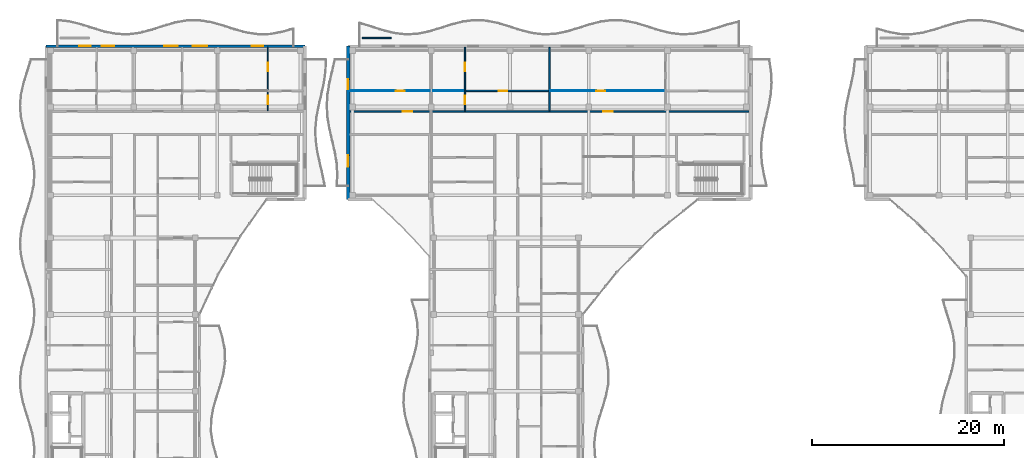
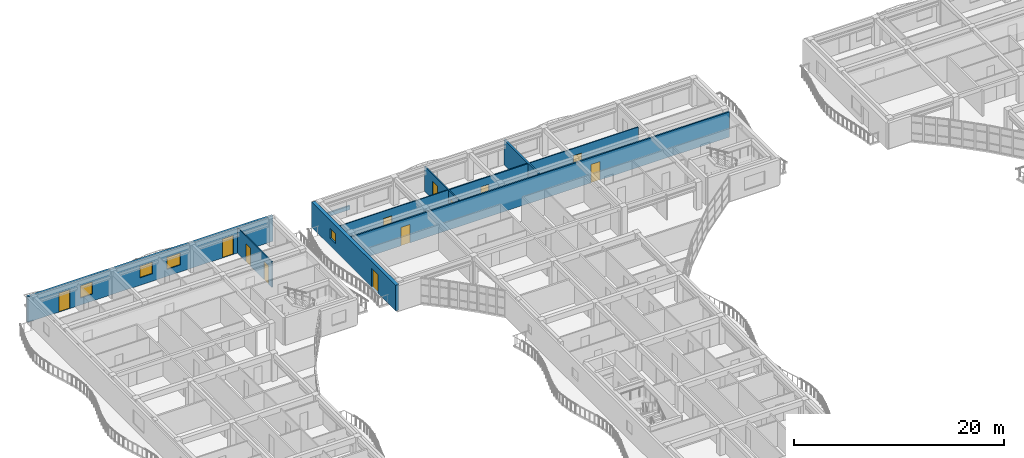
# One storey, part 44 of 79: 12 doors, 10 walls, 4 windows, 16 openings.
"""IFC4 building model written with IfcOpenShell, lengths in metres."""

from ifc_helpers import new_model, si_unit, direction, frame, frame_2d, origin, place, context, subcontext, project, spatial, rectangle, extrude, material, layer, layer_set, type_object, element, fill, save


model = new_model("IFC4")

# Units and contexts
model_context = context("Model", 3, precision=1e-05, world=origin(), true_north=direction((0.0, 1.0)))
body_context = subcontext(model_context, "Body", "Model", "MODEL_VIEW")
ifc_project = project(units=[si_unit("LENGTHUNIT", "METRE"), si_unit("AREAUNIT", "SQUARE_METRE"), si_unit("VOLUMEUNIT", "CUBIC_METRE"), si_unit("PLANEANGLEUNIT", "RADIAN"), si_unit("MASSUNIT", "GRAM", prefix="KILO")], contexts=[model_context])

# Site, building, storey
site_placement = place(None, origin())
site = spatial("IfcSite", under=ifc_project, at=site_placement, CompositionType="ELEMENT")
building_placement = place(site_placement, origin())
building = spatial("IfcBuilding", under=site, at=building_placement, Name="Keldmere Railside Commons", CompositionType="ELEMENT")
storey_placement = place(building_placement, frame((0.0, 0.0, 10.56005859375)))
storey = spatial("IfcBuildingStorey", under=building, at=storey_placement, Name="L03", CompositionType="ELEMENT", Elevation=10.56005859375)

# Wall
ifc_material_1 = material(Name="Acoustic Gypsum Board Partition", Category="gypsum")
ifc_layer_1 = layer(ifc_material_1, 0.179931640625, Name="Acoustic Demising Partition 180")
ifc_layer_set_1 = layer_set([ifc_layer_1], Name="Acoustic Gypsum Board Partition")
wall_type_1 = type_object("IfcWallType", Name="Acoustic Demising Partition 180", PredefinedType="PARTITIONING", material=ifc_layer_set_1)
wall_1_placement = place(storey_placement, frame((60.5, 109.280029296875, 0.0), z_axis=(0.0, 0.0, 1.0), x_axis=(0.0, 1.0, 0.0)))
element("IfcWall", 1, at=wall_1_placement, inside=storey, type_object=wall_type_1, Name="IW-1 IW-L03-0621", PredefinedType="PARTITIONING", context=body_context, shape_type="SweptSolid", body=[
    extrude(rectangle(XDim=6.590087890625, YDim=0.179931640625, at=frame_2d((3.294921875, 0.0))), origin(), (0.0, 0.0, 1.0), 2.93505859375),
])

# Wall, openings, doors
ifc_layer_2 = layer(ifc_material_1, 0.1201171875, Name="Apartment Interior Partition 120")
ifc_layer_set_2 = layer_set([ifc_layer_2], Name="Acoustic Gypsum Board Partition")
wall_type_2 = type_object("IfcWallType", Name="Apartment Interior Partition 120", PredefinedType="PARTITIONING", material=ifc_layer_set_2)
wall_2_placement = place(storey_placement, frame((31.1298828125, 109.280029296875, 0.0), z_axis=(0.0, 0.0, 1.0), x_axis=(0.0, 1.0, 0.0)))
wall_2 = element("IfcWall", 2, at=wall_2_placement, inside=storey, type_object=wall_type_2, Name="IW-4 IW-L03-0316", PredefinedType="PARTITIONING", context=body_context, shape_type="SweptSolid", body=[
    extrude(rectangle(XDim=6.599853515625, YDim=0.1201171875, at=frame_2d((3.2998046875, 0.0))), origin(), (0.0, 0.0, 1.0), 2.93505859375),
])
opening_1_placement = place(wall_2_placement, frame((0.656005859375, 0.0, 0.0)))
opening_1 = element("IfcOpeningElement", 3, at=opening_1_placement, cuts=wall_2, Name="Opening ID-04", PredefinedType="OPENING", context=body_context, shape_type="SweptSolid", body=[
    extrude(rectangle(XDim=0.860107421875, YDim=2.10009765625, at=frame_2d((0.43017578125, 1.050048828125))), frame((0.0, 0.070068359375, 0.0), z_axis=(0.0, -1.0, 0.0), x_axis=(1.0, 0.0, 0.0)), (0.0, 0.0, 1.0), 0.14013671875),
])
opening_2_placement = place(wall_2_placement, frame((4.097412109375, 0.0, 0.0)))
opening_2 = element("IfcOpeningElement", 4, at=opening_2_placement, cuts=wall_2, Name="Opening ID-01", PredefinedType="OPENING", context=body_context, shape_type="SweptSolid", body=[
    extrude(rectangle(XDim=0.89990234375, YDim=2.10009765625, at=frame_2d((0.449951171875, 1.050048828125))), frame((0.0, 0.070068359375, 0.0), z_axis=(0.0, -1.0, 0.0), x_axis=(1.0, 0.0, 0.0)), (0.0, 0.0, 1.0), 0.14013671875),
])
ifc_material_2 = material(Name="Engineered Oak Timber", Category="wood")
door_type_1 = type_object("IfcDoorType", Name="Apartment Bathroom Door 860x2100", OperationType="NOTDEFINED", PredefinedType="DOOR", material=ifc_material_2)
door_1_placement = place(opening_1_placement, origin())
door_1 = element("IfcDoor", 5, at=door_1_placement, inside=storey, type_object=door_type_1, Name="ID-04 IDR-L03-0225", OperationType="SINGLE_SWING_LEFT", OverallHeight=2.10009765625, OverallWidth=0.860107421875, PredefinedType="DOOR", context=body_context, shape_type="SweptSolid", body=[
    extrude(rectangle(XDim=0.860107421875, YDim=2.10009765625, at=frame_2d((0.43017578125, 1.050048828125))), frame((0.0, 0.02490234375, 0.0), z_axis=(0.0, -1.0, 0.0), x_axis=(1.0, 0.0, 0.0)), (0.0, 0.0, 1.0), 0.050048828125),
])
fill(opening_1, door_1)
door_type_2 = type_object("IfcDoorType", Name="Primary Bedroom Door 900x2100", OperationType="NOTDEFINED", PredefinedType="DOOR", material=ifc_material_2)
door_2_placement = place(opening_2_placement, origin())
door_2 = element("IfcDoor", 6, at=door_2_placement, inside=storey, type_object=door_type_2, Name="ID-01 IDR-L03-0226", OperationType="SINGLE_SWING_RIGHT", OverallHeight=2.10009765625, OverallWidth=0.89990234375, PredefinedType="DOOR", context=body_context, shape_type="SweptSolid", body=[
    extrude(rectangle(XDim=0.89990234375, YDim=2.10009765625, at=frame_2d((0.449951171875, 1.050048828125))), frame((0.0, 0.02490234375, 0.0), z_axis=(0.0, -1.0, 0.0), x_axis=(1.0, 0.0, 0.0)), (0.0, 0.0, 1.0), 0.050048828125),
])
fill(opening_2, door_2)

wall_3_placement = place(storey_placement, frame((51.699951171875, 109.280029296875, 0.0), z_axis=(0.0, 0.0, 1.0), x_axis=(0.0, 1.0, 0.0)))
wall_3 = element("IfcWall", 7, at=wall_3_placement, inside=storey, type_object=wall_type_2, Name="IW-4 IW-L03-0622", PredefinedType="PARTITIONING", context=body_context, shape_type="SweptSolid", body=[
    extrude(rectangle(XDim=6.590087890625, YDim=0.1201171875, at=frame_2d((3.294921875, 0.0))), origin(), (0.0, 0.0, 1.0), 2.93505859375),
])
opening_3_placement = place(wall_3_placement, frame((0.656005859375, 0.0, 0.0)))
opening_3 = element("IfcOpeningElement", 8, at=opening_3_placement, cuts=wall_3, Name="Opening ID-04", PredefinedType="OPENING", context=body_context, shape_type="SweptSolid", body=[
    extrude(rectangle(XDim=0.860107421875, YDim=2.10009765625, at=frame_2d((0.43017578125, 1.050048828125))), frame((0.0, 0.070068359375, 0.0), z_axis=(0.0, -1.0, 0.0), x_axis=(1.0, 0.0, 0.0)), (0.0, 0.0, 1.0), 0.14013671875),
])
opening_4_placement = place(wall_3_placement, frame((4.093017578125, 0.0, 0.0)))
opening_4 = element("IfcOpeningElement", 9, at=opening_4_placement, cuts=wall_3, Name="Opening ID-01", PredefinedType="OPENING", context=body_context, shape_type="SweptSolid", body=[
    extrude(rectangle(XDim=0.89990234375, YDim=2.10009765625, at=frame_2d((0.449951171875, 1.050048828125))), frame((0.0, 0.070068359375, 0.0), z_axis=(0.0, -1.0, 0.0), x_axis=(1.0, 0.0, 0.0)), (0.0, 0.0, 1.0), 0.14013671875),
])
door_3_placement = place(opening_3_placement, origin())
door_3 = element("IfcDoor", 10, at=door_3_placement, inside=storey, type_object=door_type_1, Name="ID-04 IDR-L03-0512", OperationType="SINGLE_SWING_RIGHT", OverallHeight=2.10009765625, OverallWidth=0.860107421875, PredefinedType="DOOR", context=body_context, shape_type="SweptSolid", body=[
    extrude(rectangle(XDim=0.860107421875, YDim=2.10009765625, at=frame_2d((0.43017578125, 1.050048828125))), frame((0.0, 0.02490234375, 0.0), z_axis=(0.0, -1.0, 0.0), x_axis=(1.0, 0.0, 0.0)), (0.0, 0.0, 1.0), 0.050048828125),
])
fill(opening_3, door_3)
door_4_placement = place(opening_4_placement, origin())
door_4 = element("IfcDoor", 11, at=door_4_placement, inside=storey, type_object=door_type_2, Name="ID-01 IDR-L03-0513", OperationType="SINGLE_SWING_LEFT", OverallHeight=2.10009765625, OverallWidth=0.89990234375, PredefinedType="DOOR", context=body_context, shape_type="SweptSolid", body=[
    extrude(rectangle(XDim=0.89990234375, YDim=2.10009765625, at=frame_2d((0.449951171875, 1.050048828125))), frame((0.0, 0.02490234375, 0.0), z_axis=(0.0, -1.0, 0.0), x_axis=(1.0, 0.0, 0.0)), (0.0, 0.0, 1.0), 0.050048828125),
])
fill(opening_4, door_4)

# Wall
ifc_material_3 = material(Name="White Precast Concrete H-35 (C35/45)", Category="concrete")
ifc_layer_3 = layer(ifc_material_3, 0.169921875, Name="Balcony Planter Kerb Wall 170")
ifc_layer_set_3 = layer_set([ifc_layer_3], Name="White Precast Concrete H-35 (C35/45)")
wall_type_3 = type_object("IfcWallType", Name="Balcony Planter Kerb Wall 170", PredefinedType="PARAPET", material=ifc_layer_set_3)
wall_4_placement = place(storey_placement, frame((41.0, 116.85009765625, 0.0), z_axis=(0.0, 0.0, 1.0), x_axis=(1.0, 0.0, 0.0)))
element("IfcWall", 12, at=wall_4_placement, inside=storey, type_object=wall_type_3, Name="PW-2 PKBC-L03-0352", PredefinedType="PARAPET", context=body_context, shape_type="SweptSolid", body=[
    extrude(rectangle(XDim=3.0, YDim=0.169921875, at=frame_2d((1.5, 0.0))), origin(), (0.0, 0.0, 1.0), 0.449951171875),
])

# Wall, opening, door
ifc_layer_4 = layer(ifc_material_1, 0.10009765625, Name="Closet Light Partition 100")
ifc_layer_set_4 = layer_set([ifc_layer_4], Name="Acoustic Gypsum Board Partition")
wall_type_4 = type_object("IfcWallType", Name="Closet Light Partition 100", PredefinedType="PARTITIONING", material=ifc_layer_set_4)
wall_5_placement = place(storey_placement, frame((39.679931640625, 111.330078125, 0.0), z_axis=(0.0, 0.0, 1.0), x_axis=(1.0, 0.0, 0.0)))
wall_5 = element("IfcWall", 13, at=wall_5_placement, inside=storey, type_object=wall_type_4, Name="IW-6 IW-L03-0624", PredefinedType="PARTITIONING", context=body_context, shape_type="SweptSolid", body=[
    extrude(rectangle(XDim=11.9599609375, YDim=0.10009765625, at=frame_2d((5.97998046875, 0.0))), origin(), (0.0, 0.0, 1.0), 2.93505859375),
])
opening_5_placement = place(wall_5_placement, frame((4.80810546875, 0.0, 0.0)))
opening_5 = element("IfcOpeningElement", 14, at=opening_5_placement, cuts=wall_5, Name="Opening ID-03", PredefinedType="OPENING", context=body_context, shape_type="SweptSolid", body=[
    extrude(rectangle(XDim=0.919921875, YDim=2.10009765625, at=frame_2d((0.4599609375, 1.050048828125))), frame((0.0, 0.06005859375, 0.0), z_axis=(0.0, -1.0, 0.0), x_axis=(1.0, 0.0, 0.0)), (0.0, 0.0, 1.0), 0.1201171875),
])
door_type_3 = type_object("IfcDoorType", Name="Kitchen Pocket-Frame Swing Door 920x2100", OperationType="NOTDEFINED", PredefinedType="DOOR", material=ifc_material_2)
door_5_placement = place(opening_5_placement, origin())
door_5 = element("IfcDoor", 15, at=door_5_placement, inside=storey, type_object=door_type_3, Name="ID-03 IDR-L03-0511", OperationType="SINGLE_SWING_LEFT", OverallHeight=2.10009765625, OverallWidth=0.919921875, PredefinedType="DOOR", context=body_context, shape_type="SweptSolid", body=[
    extrude(rectangle(XDim=0.919921875, YDim=2.10009765625, at=frame_2d((0.4599609375, 1.050048828125))), frame((0.0, 0.02490234375, 0.0), z_axis=(0.0, -1.0, 0.0), x_axis=(1.0, 0.0, 0.0)), (0.0, 0.0, 1.0), 0.050048828125),
])
fill(opening_5, door_5)

wall_6_placement = place(storey_placement, frame((60.590087890625, 111.330078125, 0.0), z_axis=(0.0, 0.0, 1.0), x_axis=(1.0, 0.0, 0.0)))
wall_6 = element("IfcWall", 16, at=wall_6_placement, inside=storey, type_object=wall_type_4, Name="IW-6 IW-L03-0627", PredefinedType="PARTITIONING", context=body_context, shape_type="SweptSolid", body=[
    extrude(rectangle(XDim=11.9599609375, YDim=0.10009765625, at=frame_2d((5.97998046875, 0.0))), origin(), (0.0, 0.0, 1.0), 2.93505859375),
])
opening_6_placement = place(wall_6_placement, frame((4.80810546875, 0.0, 0.0)))
opening_6 = element("IfcOpeningElement", 17, at=opening_6_placement, cuts=wall_6, Name="Opening ID-03", PredefinedType="OPENING", context=body_context, shape_type="SweptSolid", body=[
    extrude(rectangle(XDim=0.919921875, YDim=2.10009765625, at=frame_2d((0.4599609375, 1.050048828125))), frame((0.0, 0.06005859375, 0.0), z_axis=(0.0, -1.0, 0.0), x_axis=(1.0, 0.0, 0.0)), (0.0, 0.0, 1.0), 0.1201171875),
])
door_6_placement = place(opening_6_placement, origin())
door_6 = element("IfcDoor", 18, at=door_6_placement, inside=storey, type_object=door_type_3, Name="ID-03 IDR-L03-0516", OperationType="SINGLE_SWING_RIGHT", OverallHeight=2.10009765625, OverallWidth=0.919921875, PredefinedType="DOOR", context=body_context, shape_type="SweptSolid", body=[
    extrude(rectangle(XDim=0.919921875, YDim=2.10009765625, at=frame_2d((0.4599609375, 1.050048828125))), frame((0.0, 0.02490234375, 0.0), z_axis=(0.0, -1.0, 0.0), x_axis=(1.0, 0.0, 0.0)), (0.0, 0.0, 1.0), 0.050048828125),
])
fill(opening_6, door_6)

# Wall, openings, doors
ifc_layer_5 = layer(ifc_material_1, 0.159912109375, Name="Corridor Fire Partition 160")
ifc_layer_set_5 = layer_set([ifc_layer_5], Name="Acoustic Gypsum Board Partition")
wall_type_5 = type_object("IfcWallType", Name="Corridor Fire Partition 160", PredefinedType="PARTITIONING", material=ifc_layer_set_5)
wall_7_placement = place(storey_placement, frame((39.679931640625, 109.199951171875, 0.0), z_axis=(0.0, 0.0, 1.0), x_axis=(1.0, 0.0, 0.0)))
wall_7 = element("IfcWall", 19, at=wall_7_placement, inside=storey, type_object=wall_type_5, Name="IW-2 IW-L03-0599", PredefinedType="PARTITIONING", context=body_context, shape_type="SweptSolid", body=[
    extrude(rectangle(XDim=41.64013671875, YDim=0.159912109375, at=frame_2d((20.820068359375, 0.0))), origin(), (0.0, 0.0, 1.0), 2.93505859375),
])
opening_7_placement = place(wall_7_placement, frame((5.52001953125, 0.0, 0.0)))
opening_7 = element("IfcOpeningElement", 20, at=opening_7_placement, cuts=wall_7, Name="Opening FD-7", PredefinedType="OPENING", context=body_context, shape_type="SweptSolid", body=[
    extrude(rectangle(XDim=0.97998046875, YDim=2.14990234375, at=frame_2d((0.489990234375, 1.074951171875))), frame((0.0, 0.08984375, 0.0), z_axis=(0.0, -1.0, 0.0), x_axis=(1.0, 0.0, 0.0)), (0.0, 0.0, 1.0), 0.179931640625),
])
opening_8_placement = place(wall_7_placement, frame((26.429931640625, 0.0, 0.0)))
opening_8 = element("IfcOpeningElement", 21, at=opening_8_placement, cuts=wall_7, Name="Opening FD-7", PredefinedType="OPENING", context=body_context, shape_type="SweptSolid", body=[
    extrude(rectangle(XDim=0.97998046875, YDim=2.14990234375, at=frame_2d((0.489990234375, 1.074951171875))), frame((0.0, 0.08984375, 0.0), z_axis=(0.0, -1.0, 0.0), x_axis=(1.0, 0.0, 0.0)), (0.0, 0.0, 1.0), 0.179931640625),
])
door_type_4 = type_object("IfcDoorType", Name="Apartment Entrance Acoustic Fire Door 980x2150", OperationType="NOTDEFINED", PredefinedType="DOOR", material=ifc_material_2)
door_7_placement = place(opening_7_placement, origin())
door_7 = element("IfcDoor", 22, at=door_7_placement, inside=storey, type_object=door_type_4, Name="FD-7 IDR-L03-0510", OperationType="SINGLE_SWING_RIGHT", OverallHeight=2.14990234375, OverallWidth=0.97998046875, PredefinedType="DOOR", context=body_context, shape_type="SweptSolid", body=[
    extrude(rectangle(XDim=0.97998046875, YDim=2.14990234375, at=frame_2d((0.489990234375, 1.074951171875))), frame((0.0, 0.02490234375, 0.0), z_axis=(0.0, -1.0, 0.0), x_axis=(1.0, 0.0, 0.0)), (0.0, 0.0, 1.0), 0.050048828125),
])
fill(opening_7, door_7)
door_8_placement = place(opening_8_placement, origin())
door_8 = element("IfcDoor", 23, at=door_8_placement, inside=storey, type_object=door_type_4, Name="FD-7 IDR-L03-0515", OperationType="SINGLE_SWING_LEFT", OverallHeight=2.14990234375, OverallWidth=0.97998046875, PredefinedType="DOOR", context=body_context, shape_type="SweptSolid", body=[
    extrude(rectangle(XDim=0.97998046875, YDim=2.14990234375, at=frame_2d((0.489990234375, 1.074951171875))), frame((0.0, 0.02490234375, 0.0), z_axis=(0.0, -1.0, 0.0), x_axis=(1.0, 0.0, 0.0)), (0.0, 0.0, 1.0), 0.050048828125),
])
fill(opening_8, door_8)

# Wall, openings, window, door
ifc_material_4 = material(Name="Concrete H-35 (C35/45)", Category="concrete")
ifc_layer_6 = layer(ifc_material_4, 0.360107421875, Name="Exterior Shear Wall 360")
ifc_layer_set_6 = layer_set([ifc_layer_6], Name="Concrete H-35 (C35/45)")
wall_type_6 = type_object("IfcWallType", Name="Exterior Shear Wall 360", PredefinedType="SHEAR", material=ifc_layer_set_6)
wall_8_placement = place(storey_placement, frame((39.5, 100.0, 0.0), z_axis=(0.0, 0.0, 1.0), x_axis=(0.0, 1.0, 0.0)))
wall_8 = element("IfcWall", 24, at=wall_8_placement, inside=storey, type_object=wall_type_6, Name="ESW-1 EXTC-L03-0349", PredefinedType="SHEAR", context=body_context, shape_type="SweptSolid", body=[
    extrude(rectangle(XDim=16.0, YDim=0.360107421875, at=frame_2d((8.0, 0.0))), origin(), (0.0, 0.0, 1.0), 2.97998046875),
])
opening_9_placement = place(wall_8_placement, frame((3.39990234375, 0.0, 0.0)))
opening_9 = element("IfcOpeningElement", 25, at=opening_9_placement, cuts=wall_8, Name="Opening BD-01", PredefinedType="OPENING", context=body_context, shape_type="SweptSolid", body=[
    extrude(rectangle(XDim=1.199951171875, YDim=2.199951171875, at=frame_2d((0.60009765625, 1.10009765625))), frame((0.0, 0.18994140625, 0.0), z_axis=(0.0, -1.0, 0.0), x_axis=(1.0, 0.0, 0.0)), (0.0, 0.0, 1.0), 0.380126953125),
])
opening_10_placement = place(wall_8_placement, frame((11.47509765625, 0.0, 0.89990234375)))
opening_10 = element("IfcOpeningElement", 26, at=opening_10_placement, cuts=wall_8, Name="Opening WN-13", PredefinedType="OPENING", context=body_context, shape_type="SweptSolid", body=[
    extrude(rectangle(XDim=1.050048828125, YDim=1.14990234375, at=frame_2d((0.52490234375, 0.574951171875))), frame((0.0, 0.18994140625, 0.0), z_axis=(0.0, -1.0, 0.0), x_axis=(1.0, 0.0, 0.0)), (0.0, 0.0, 1.0), 0.380126953125),
])
ifc_material_5 = material(Name="Low-E Insulated Double Glazing", Category="glass")
window_type_1 = type_object("IfcWindowType", Name="Apartment Kitchen Casement Window 1050x1150", PartitioningType="SINGLE_PANEL", PredefinedType="WINDOW", material=ifc_material_5)
window_1_placement = place(opening_10_placement, origin())
window_1 = element("IfcWindow", 27, at=window_1_placement, inside=storey, type_object=window_type_1, Name="WN-13 WIN-L03-0224", OverallHeight=1.14990234375, OverallWidth=1.050048828125, PartitioningType="SINGLE_PANEL", PredefinedType="WINDOW", context=body_context, shape_type="SweptSolid", body=[
    extrude(rectangle(XDim=1.050048828125, YDim=1.14990234375, at=frame_2d((0.52490234375, 0.574951171875))), frame((0.0, 0.030029296875, 0.0), z_axis=(0.0, -1.0, 0.0), x_axis=(1.0, 0.0, 0.0)), (0.0, 0.0, 1.0), 0.06005859375),
])
fill(opening_10, window_1)
ifc_material_6 = material(Name="Thermally Broken Aluminium", Category="aluminium")
door_type_5 = type_object("IfcDoorType", Name="Apartment Living Wave-Balcony Glazed Door 1200x2200", OperationType="NOTDEFINED", PredefinedType="DOOR", material=ifc_material_6)
door_9_placement = place(opening_9_placement, origin())
door_9 = element("IfcDoor", 28, at=door_9_placement, inside=storey, type_object=door_type_5, Name="BD-01 DR-L03-0075", OperationType="SINGLE_SWING_LEFT", OverallHeight=2.199951171875, OverallWidth=1.199951171875, PredefinedType="DOOR", context=body_context, shape_type="SweptSolid", body=[
    extrude(rectangle(XDim=1.199951171875, YDim=2.199951171875, at=frame_2d((0.60009765625, 1.10009765625))), frame((0.0, 0.02490234375, 0.0), z_axis=(0.0, -1.0, 0.0), x_axis=(1.0, 0.0, 0.0)), (0.0, 0.0, 1.0), 0.050048828125),
])
fill(opening_9, door_9)

# Wall, openings, doors, windows
ifc_material_7 = material(Name="Architectural Precast Concrete H-35 (C35/45)", Category="concrete")
ifc_layer_7 = layer(ifc_material_7, 0.239990234375, Name="Sand-Ochre Precast Cavity Wall 240")
ifc_layer_set_7 = layer_set([ifc_layer_7], Name="Architectural Precast Concrete H-35 (C35/45)")
wall_type_7 = type_object("IfcWallType", Name="Sand-Ochre Precast Cavity Wall 240", PredefinedType="SOLIDWALL", material=ifc_layer_set_7)
wall_9_placement = place(storey_placement, frame((8.0, 116.0, 0.0), z_axis=(0.0, 0.0, 1.0), x_axis=(1.0, 0.0, 0.0)))
wall_9 = element("IfcWall", 29, at=wall_9_placement, inside=storey, type_object=wall_type_7, Name="EW-2 EXTD-L03-0147", PredefinedType="SOLIDWALL", context=body_context, shape_type="SweptSolid", body=[
    extrude(rectangle(XDim=27.0, YDim=0.239990234375, at=frame_2d((13.5, 0.0))), origin(), (0.0, 0.0, 1.0), 2.97998046875),
])
opening_11_placement = place(wall_9_placement, frame((3.449951171875, 0.0, 0.0)))
opening_11 = element("IfcOpeningElement", 30, at=opening_11_placement, cuts=wall_9, Name="Opening BD-01", PredefinedType="OPENING", context=body_context, shape_type="SweptSolid", body=[
    extrude(rectangle(XDim=1.199951171875, YDim=2.199951171875, at=frame_2d((0.60009765625, 1.10009765625))), frame((0.0, 0.1298828125, 0.0), z_axis=(0.0, -1.0, 0.0), x_axis=(1.0, 0.0, 0.0)), (0.0, 0.0, 1.0), 0.260009765625),
])
opening_12_placement = place(wall_9_placement, frame((5.800048828125, 0.0, 0.820068359375)))
opening_12 = element("IfcOpeningElement", 31, at=opening_12_placement, cuts=wall_9, Name="Opening WN-10", PredefinedType="OPENING", context=body_context, shape_type="SweptSolid", body=[
    extrude(rectangle(XDim=1.300048828125, YDim=1.39990234375, at=frame_2d((0.64990234375, 0.699951171875))), frame((0.0, 0.1298828125, 0.0), z_axis=(0.0, -1.0, 0.0), x_axis=(1.0, 0.0, 0.0)), (0.0, 0.0, 1.0), 0.260009765625),
])
opening_13_placement = place(wall_9_placement, frame((12.35009765625, 0.0, 0.8701171875)))
opening_13 = element("IfcOpeningElement", 32, at=opening_13_placement, cuts=wall_9, Name="Opening WN-08", PredefinedType="OPENING", context=body_context, shape_type="SweptSolid", body=[
    extrude(rectangle(XDim=1.39990234375, YDim=1.35009765625, at=frame_2d((0.699951171875, 0.675048828125))), frame((0.0, 0.1298828125, 0.0), z_axis=(0.0, -1.0, 0.0), x_axis=(1.0, 0.0, 0.0)), (0.0, 0.0, 1.0), 0.260009765625),
])
opening_14_placement = place(wall_9_placement, frame((21.449951171875, 0.0, 0.0)))
opening_14 = element("IfcOpeningElement", 33, at=opening_14_placement, cuts=wall_9, Name="Opening BD-01", PredefinedType="OPENING", context=body_context, shape_type="SweptSolid", body=[
    extrude(rectangle(XDim=1.199951171875, YDim=2.199951171875, at=frame_2d((0.60009765625, 1.10009765625))), frame((0.0, 0.1298828125, 0.0), z_axis=(0.0, -1.0, 0.0), x_axis=(1.0, 0.0, 0.0)), (0.0, 0.0, 1.0), 0.260009765625),
])
opening_15_placement = place(wall_9_placement, frame((15.300048828125, 0.0, 0.820068359375)))
opening_15 = element("IfcOpeningElement", 34, at=opening_15_placement, cuts=wall_9, Name="Opening WN-06", PredefinedType="OPENING", context=body_context, shape_type="SweptSolid", body=[
    extrude(rectangle(XDim=1.5, YDim=1.39990234375, at=frame_2d((0.75, 0.699951171875))), frame((0.0, 0.1298828125, 0.0), z_axis=(0.0, -1.0, 0.0), x_axis=(1.0, 0.0, 0.0)), (0.0, 0.0, 1.0), 0.260009765625),
])
door_10_placement = place(opening_11_placement, origin())
door_10 = element("IfcDoor", 35, at=door_10_placement, inside=storey, type_object=door_type_5, Name="BD-01 DR-L03-0022", OperationType="SINGLE_SWING_RIGHT", OverallHeight=2.199951171875, OverallWidth=1.199951171875, PredefinedType="DOOR", context=body_context, shape_type="SweptSolid", body=[
    extrude(rectangle(XDim=1.199951171875, YDim=2.199951171875, at=frame_2d((0.60009765625, 1.10009765625))), frame((0.0, 0.02490234375, 0.0), z_axis=(0.0, -1.0, 0.0), x_axis=(1.0, 0.0, 0.0)), (0.0, 0.0, 1.0), 0.050048828125),
])
fill(opening_11, door_10)
door_11_placement = place(opening_14_placement, origin())
door_11 = element("IfcDoor", 36, at=door_11_placement, inside=storey, type_object=door_type_5, Name="BD-01 DR-L03-0023", OperationType="SINGLE_SWING_LEFT", OverallHeight=2.199951171875, OverallWidth=1.199951171875, PredefinedType="DOOR", context=body_context, shape_type="SweptSolid", body=[
    extrude(rectangle(XDim=1.199951171875, YDim=2.199951171875, at=frame_2d((0.60009765625, 1.10009765625))), frame((0.0, 0.02490234375, 0.0), z_axis=(0.0, -1.0, 0.0), x_axis=(1.0, 0.0, 0.0)), (0.0, 0.0, 1.0), 0.050048828125),
])
fill(opening_14, door_11)
window_type_2 = type_object("IfcWindowType", Name="Primary Bedroom East/West Window 1400x1350", PartitioningType="SINGLE_PANEL", PredefinedType="WINDOW", material=ifc_material_5)
window_2_placement = place(opening_13_placement, origin())
window_2 = element("IfcWindow", 37, at=window_2_placement, inside=storey, type_object=window_type_2, Name="WN-08 WIN-L03-0074", OverallHeight=1.35009765625, OverallWidth=1.39990234375, PartitioningType="SINGLE_PANEL", PredefinedType="WINDOW", context=body_context, shape_type="SweptSolid", body=[
    extrude(rectangle(XDim=1.39990234375, YDim=1.35009765625, at=frame_2d((0.699951171875, 0.675048828125))), frame((0.0, 0.030029296875, 0.0), z_axis=(0.0, -1.0, 0.0), x_axis=(1.0, 0.0, 0.0)), (0.0, 0.0, 1.0), 0.06005859375),
])
fill(opening_13, window_2)
window_type_3 = type_object("IfcWindowType", Name="Primary Bedroom North Window 1500x1400", PartitioningType="SINGLE_PANEL", PredefinedType="WINDOW", material=ifc_material_5)
window_3_placement = place(opening_15_placement, origin())
window_3 = element("IfcWindow", 38, at=window_3_placement, inside=storey, type_object=window_type_3, Name="WN-06 WIN-L03-9019", OverallHeight=1.39990234375, OverallWidth=1.5, PartitioningType="SINGLE_PANEL", PredefinedType="WINDOW", context=body_context, shape_type="SweptSolid", body=[
    extrude(rectangle(XDim=1.5, YDim=1.39990234375, at=frame_2d((0.75, 0.699951171875))), frame((0.0, 0.030029296875, 0.0), z_axis=(0.0, -1.0, 0.0), x_axis=(1.0, 0.0, 0.0)), (0.0, 0.0, 1.0), 0.06005859375),
])
fill(opening_15, window_3)
window_type_4 = type_object("IfcWindowType", Name="Secondary Bedroom Court Window 1300x1400", PartitioningType="SINGLE_PANEL", PredefinedType="WINDOW", material=ifc_material_5)
window_4_placement = place(opening_12_placement, origin())
window_4 = element("IfcWindow", 39, at=window_4_placement, inside=storey, type_object=window_type_4, Name="WN-10 WIN-L03-0073", OverallHeight=1.39990234375, OverallWidth=1.300048828125, PartitioningType="SINGLE_PANEL", PredefinedType="WINDOW", context=body_context, shape_type="SweptSolid", body=[
    extrude(rectangle(XDim=1.300048828125, YDim=1.39990234375, at=frame_2d((0.64990234375, 0.699951171875))), frame((0.0, 0.030029296875, 0.0), z_axis=(0.0, -1.0, 0.0), x_axis=(1.0, 0.0, 0.0)), (0.0, 0.0, 1.0), 0.06005859375),
])
fill(opening_12, window_4)

# Wall, opening, door
ifc_layer_8 = layer(ifc_material_1, 0.139892578125, Name="Wet-Room Sanitary Partition 140")
ifc_layer_set_8 = layer_set([ifc_layer_8], Name="Acoustic Gypsum Board Partition")
wall_type_8 = type_object("IfcWallType", Name="Wet-Room Sanitary Partition 140", PredefinedType="PARTITIONING", material=ifc_layer_set_8)
wall_10_placement = place(storey_placement, frame((51.760009765625, 111.330078125, 0.0), z_axis=(0.0, 0.0, 1.0), x_axis=(1.0, 0.0, 0.0)))
wall_10 = element("IfcWall", 40, at=wall_10_placement, inside=storey, type_object=wall_type_8, Name="IW-5 IW-L03-0623", PredefinedType="PARTITIONING", context=body_context, shape_type="SweptSolid", body=[
    extrude(rectangle(XDim=8.64990234375, YDim=0.139892578125, at=frame_2d((4.324951171875, 0.0))), origin(), (0.0, 0.0, 1.0), 2.93505859375),
])
opening_16_placement = place(wall_10_placement, frame((3.48388671875, 0.0, 0.0)))
opening_16 = element("IfcOpeningElement", 41, at=opening_16_placement, cuts=wall_10, Name="Opening ID-06", PredefinedType="OPENING", context=body_context, shape_type="SweptSolid", body=[
    extrude(rectangle(XDim=0.85009765625, YDim=2.050048828125, at=frame_2d((0.425048828125, 1.02490234375))), frame((0.0, 0.079833984375, 0.0), z_axis=(0.0, -1.0, 0.0), x_axis=(1.0, 0.0, 0.0)), (0.0, 0.0, 1.0), 0.159912109375),
])
door_type_6 = type_object("IfcDoorType", Name="Storage Closet Door 850x2050", OperationType="NOTDEFINED", PredefinedType="DOOR", material=ifc_material_2)
door_12_placement = place(opening_16_placement, origin())
door_12 = element("IfcDoor", 42, at=door_12_placement, inside=storey, type_object=door_type_6, Name="ID-06 IDR-L03-0514", OperationType="SINGLE_SWING_RIGHT", OverallHeight=2.050048828125, OverallWidth=0.85009765625, PredefinedType="DOOR", context=body_context, shape_type="SweptSolid", body=[
    extrude(rectangle(XDim=0.85009765625, YDim=2.050048828125, at=frame_2d((0.425048828125, 1.02490234375))), frame((0.0, 0.02490234375, 0.0), z_axis=(0.0, -1.0, 0.0), x_axis=(1.0, 0.0, 0.0)), (0.0, 0.0, 1.0), 0.050048828125),
])
fill(opening_16, door_12)

save(model, "model.ifc")
